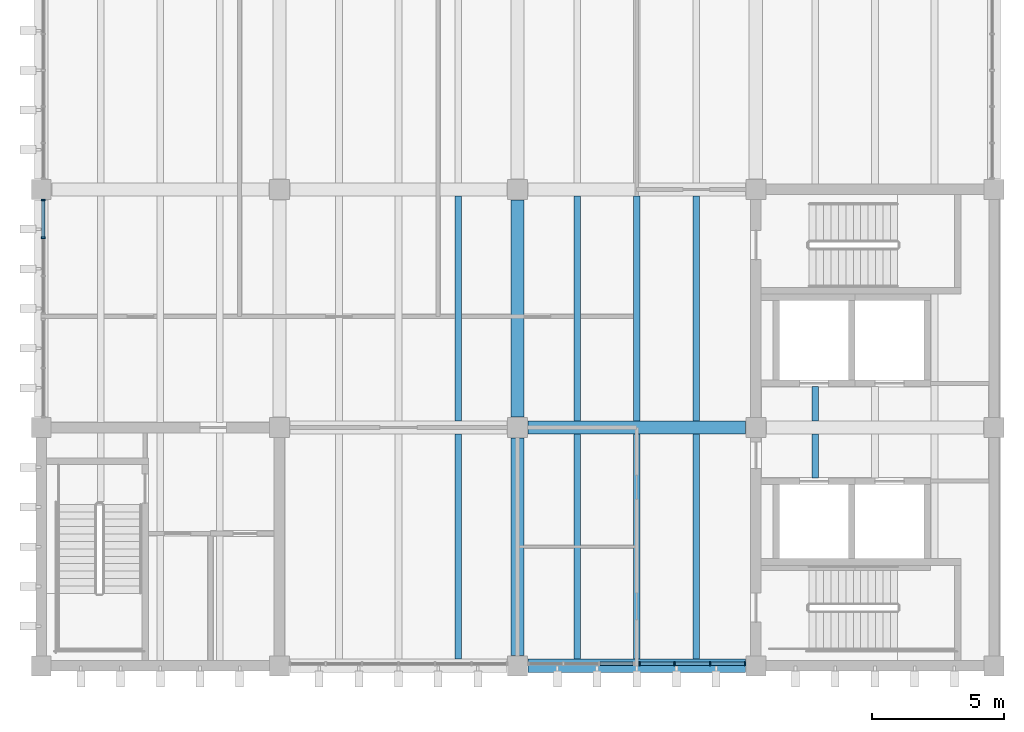
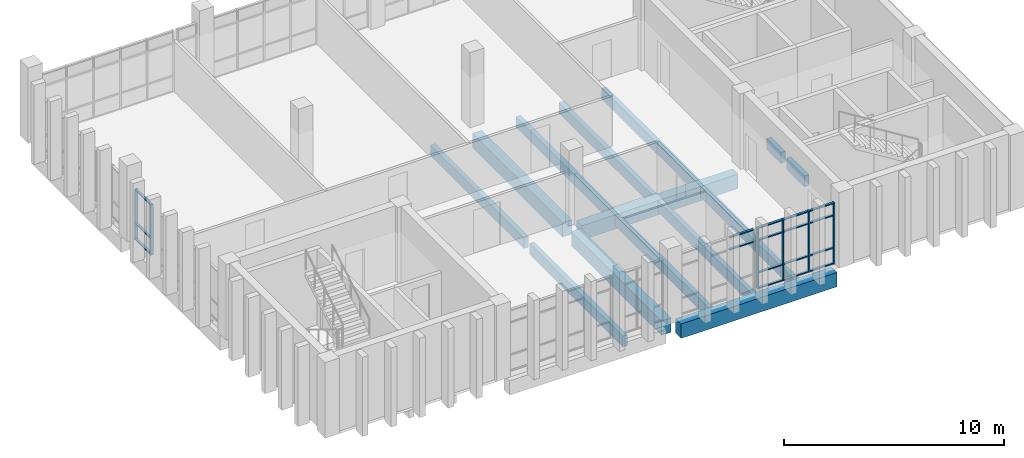
# One storey, part 3 of 14: 23 members, 14 beams, 3 elements without a shape of their own.
"""IFC4 building model written with IfcOpenShell, lengths in metres."""

from ifc_helpers import new_model, si_unit, direction, frame, origin, origin_2d, place, context, subcontext, project, spatial, rectangle, extrude, material, material_profile, profile_set, type_object, element, aggregate, save


model = new_model("IFC4")

# Units and contexts
model_context = context("Model", 3, precision=1e-05, world=origin(), true_north=direction((0.0, 1.0)))
body_context = subcontext(model_context, "Body", "Model", "MODEL_VIEW")
ifc_project = project(units=[si_unit("LENGTHUNIT", "METRE"), si_unit("AREAUNIT", "SQUARE_METRE"), si_unit("VOLUMEUNIT", "CUBIC_METRE"), si_unit("PLANEANGLEUNIT", "RADIAN"), si_unit("MASSUNIT", "GRAM", prefix="KILO")], contexts=[model_context])

# Site, building, storey
site_placement = place(None, origin())
site = spatial("IfcSite", under=ifc_project, at=site_placement, CompositionType="ELEMENT")
building_placement = place(site_placement, origin())
building = spatial("IfcBuilding", under=site, at=building_placement, Name="Merrow Basin Faculty of Sciences", CompositionType="ELEMENT")
storey_placement = place(building_placement, frame((0.0, 0.0, 27.0)))
storey = spatial("IfcBuildingStorey", under=building, at=storey_placement, Name="L06", CompositionType="ELEMENT", Elevation=27.0)

# Curtain wall, members
ifc_material_1 = material(Name="Aluminium alloy 6063", Category="aluminium")
curtain_wall_type = type_object("IfcCurtainWallType", Name="Unitised curtain wall 160", PredefinedType="NOTDEFINED", material=ifc_material_1)
curtain_wall_1_placement = place(storey_placement, origin())
curtain_wall_1 = element("IfcCurtainWall", 1, at=curtain_wall_1_placement, inside=storey, type_object=curtain_wall_type, Name="W curtain wall L06 2", PredefinedType="NOTDEFINED")
ifc_material_2 = material(Name="Aluminium alloy 6063", Category="aluminium")
ifc_material_profile_1 = material_profile(ifc_material_2, rectangle(XDim=0.159912109375, YDim=0.06005859375, at=origin_2d()))
ifc_profile_set_1 = profile_set([ifc_material_profile_1], Name="Aluminium alloy 6063")
member_type_1 = type_object("IfcMemberType", Name="Aluminium mullion 60x160", PredefinedType="MULLION", material=ifc_profile_set_1)
member_1_placement = place(storey_placement, frame((18.080078125, 158.175048828125, 0.0), z_axis=(0.0, 0.0, 1.0), x_axis=(-1.0, 0.0, 0.0)))
member_1 = element("IfcMember", 2, at=member_1_placement, type_object=member_type_1, Name="CW3 mullion 3", PredefinedType="MULLION", context=body_context, shape_type="SweptSolid", body=[
    extrude(rectangle(XDim=0.159912109375, YDim=0.06005859375, at=origin_2d()), origin(), (0.0, 0.0, 1.0), 2.800048828125),
])
member_2_placement = place(storey_placement, frame((18.080078125, 159.594970703125, 0.0), z_axis=(0.0, 0.0, 1.0), x_axis=(-1.0, 0.0, 0.0)))
member_2 = element("IfcMember", 3, at=member_2_placement, type_object=member_type_1, Name="CW3 mullion 4", PredefinedType="MULLION", context=body_context, shape_type="SweptSolid", body=[
    extrude(rectangle(XDim=0.159912109375, YDim=0.06005859375, at=origin_2d()), origin(), (0.0, 0.0, 1.0), 2.800048828125),
])

curtain_wall_2_placement = place(storey_placement, origin())
curtain_wall_2 = element("IfcCurtainWall", 4, at=curtain_wall_2_placement, inside=storey, type_object=curtain_wall_type, Name="S curtain wall L06 3", PredefinedType="NOTDEFINED")
member_3_placement = place(storey_placement, frame((40.60498046875, 142.080078125, 0.0), z_axis=(0.0, 0.0, 1.0), x_axis=(0.0, 1.0, 0.0)))
member_3 = element("IfcMember", 5, at=member_3_placement, type_object=member_type_1, Name="CW3 mullion 1", PredefinedType="MULLION", context=body_context, shape_type="SweptSolid", body=[
    extrude(rectangle(XDim=0.159912109375, YDim=0.06005859375, at=origin_2d()), origin(), (0.0, 0.0, 1.0), 3.39990234375),
])
member_4_placement = place(storey_placement, frame((41.925048828125, 142.080078125, 0.0), z_axis=(0.0, 0.0, 1.0), x_axis=(0.0, 1.0, 0.0)))
member_4 = element("IfcMember", 6, at=member_4_placement, type_object=member_type_1, Name="CW3 mullion 2", PredefinedType="MULLION", context=body_context, shape_type="SweptSolid", body=[
    extrude(rectangle(XDim=0.159912109375, YDim=0.06005859375, at=origin_2d()), origin(), (0.0, 0.0, 1.0), 3.39990234375),
])
member_5_placement = place(storey_placement, frame((43.27490234375, 142.080078125, 0.0), z_axis=(0.0, 0.0, 1.0), x_axis=(0.0, 1.0, 0.0)))
member_5 = element("IfcMember", 7, at=member_5_placement, type_object=member_type_1, Name="CW3 mullion 3", PredefinedType="MULLION", context=body_context, shape_type="SweptSolid", body=[
    extrude(rectangle(XDim=0.159912109375, YDim=0.06005859375, at=origin_2d()), origin(), (0.0, 0.0, 1.0), 3.39990234375),
])
member_6_placement = place(storey_placement, frame((44.594970703125, 142.080078125, 0.0), z_axis=(0.0, 0.0, 1.0), x_axis=(0.0, 1.0, 0.0)))
member_6 = element("IfcMember", 8, at=member_6_placement, type_object=member_type_1, Name="CW3 mullion 4", PredefinedType="MULLION", context=body_context, shape_type="SweptSolid", body=[
    extrude(rectangle(XDim=0.159912109375, YDim=0.06005859375, at=origin_2d()), origin(), (0.0, 0.0, 1.0), 3.39990234375),
])

# Member
ifc_material_3 = material(Name="Aluminium alloy 6063", Category="aluminium")
ifc_material_profile_2 = material_profile(ifc_material_3, rectangle(XDim=0.1201171875, YDim=0.06005859375, at=origin_2d()))
ifc_profile_set_2 = profile_set([ifc_material_profile_2], Name="Aluminium alloy 6063")
member_type_2 = type_object("IfcMemberType", Name="Aluminium transom 60x120", PredefinedType="USERDEFINED", material=ifc_profile_set_2)
member_7_placement = place(storey_placement, frame((18.080078125, 158.205078125, 0.030029296875), z_axis=(0.0, 1.0, 0.0), x_axis=(-1.0, 0.0, 0.0)))
member_7 = element("IfcMember", 9, at=member_7_placement, type_object=member_type_2, Name="CW3 transom 3.1", ObjectType="TRANSOM", PredefinedType="USERDEFINED", context=body_context, shape_type="SweptSolid", body=[
    extrude(rectangle(XDim=0.1201171875, YDim=0.06005859375, at=origin_2d()), origin(), (0.0, 0.0, 1.0), 1.35986328125),
])

member_8_placement = place(storey_placement, frame((18.080078125, 158.205078125, 0.89990234375), z_axis=(0.0, 1.0, 0.0), x_axis=(-1.0, 0.0, 0.0)))
member_8 = element("IfcMember", 10, at=member_8_placement, type_object=member_type_2, Name="CW3 transom 3.2", ObjectType="TRANSOM", PredefinedType="USERDEFINED", context=body_context, shape_type="SweptSolid", body=[
    extrude(rectangle(XDim=0.1201171875, YDim=0.06005859375, at=origin_2d()), origin(), (0.0, 0.0, 1.0), 1.35986328125),
])

member_9_placement = place(storey_placement, frame((18.080078125, 158.205078125, 2.77001953125), z_axis=(0.0, 1.0, 0.0), x_axis=(-1.0, 0.0, 0.0)))
member_9 = element("IfcMember", 11, at=member_9_placement, type_object=member_type_2, Name="CW3 transom 3.3", ObjectType="TRANSOM", PredefinedType="USERDEFINED", context=body_context, shape_type="SweptSolid", body=[
    extrude(rectangle(XDim=0.1201171875, YDim=0.06005859375, at=origin_2d()), origin(), (0.0, 0.0, 1.0), 1.35986328125),
])

aggregate(curtain_wall_1, [member_1, member_2, member_7, member_8, member_9])

# Curtain wall, members
curtain_wall_3_placement = place(storey_placement, origin())
curtain_wall_3 = element("IfcCurtainWall", 12, at=curtain_wall_3_placement, inside=storey, type_object=curtain_wall_type, Name="S curtain wall L06 2", PredefinedType="NOTDEFINED")
member_10_placement = place(storey_placement, frame((39.10498046875, 142.080078125, 2.699951171875), z_axis=(1.0, 0.0, 0.0), x_axis=(0.0, 1.0, 0.0)))
member_10 = element("IfcMember", 13, at=member_10_placement, type_object=member_type_2, Name="CW3 transom 3.3", ObjectType="TRANSOM", PredefinedType="USERDEFINED", context=body_context, shape_type="SweptSolid", body=[
    extrude(rectangle(XDim=0.1201171875, YDim=0.06005859375, at=origin_2d()), origin(), (0.0, 0.0, 1.0), 1.260009765625),
])
member_11_placement = place(storey_placement, frame((39.10498046875, 142.080078125, 3.3701171875), z_axis=(1.0, 0.0, 0.0), x_axis=(0.0, 1.0, 0.0)))
member_11 = element("IfcMember", 14, at=member_11_placement, type_object=member_type_2, Name="CW3 transom 3.4", ObjectType="TRANSOM", PredefinedType="USERDEFINED", context=body_context, shape_type="SweptSolid", body=[
    extrude(rectangle(XDim=0.1201171875, YDim=0.06005859375, at=origin_2d()), origin(), (0.0, 0.0, 1.0), 1.260009765625),
])
aggregate(curtain_wall_3, [member_10, member_11])

# Member
member_12_placement = place(storey_placement, frame((40.635009765625, 142.080078125, 0.030029296875), z_axis=(1.0, 0.0, 0.0), x_axis=(0.0, 1.0, 0.0)))
member_12 = element("IfcMember", 15, at=member_12_placement, type_object=member_type_2, Name="CW3 transom 1.1", ObjectType="TRANSOM", PredefinedType="USERDEFINED", context=body_context, shape_type="SweptSolid", body=[
    extrude(rectangle(XDim=0.1201171875, YDim=0.06005859375, at=origin_2d()), origin(), (0.0, 0.0, 1.0), 1.260009765625),
])

member_13_placement = place(storey_placement, frame((40.635009765625, 142.080078125, 0.89990234375), z_axis=(1.0, 0.0, 0.0), x_axis=(0.0, 1.0, 0.0)))
member_13 = element("IfcMember", 16, at=member_13_placement, type_object=member_type_2, Name="CW3 transom 1.2", ObjectType="TRANSOM", PredefinedType="USERDEFINED", context=body_context, shape_type="SweptSolid", body=[
    extrude(rectangle(XDim=0.1201171875, YDim=0.06005859375, at=origin_2d()), origin(), (0.0, 0.0, 1.0), 1.260009765625),
])

member_14_placement = place(storey_placement, frame((40.635009765625, 142.080078125, 2.699951171875), z_axis=(1.0, 0.0, 0.0), x_axis=(0.0, 1.0, 0.0)))
member_14 = element("IfcMember", 17, at=member_14_placement, type_object=member_type_2, Name="CW3 transom 1.3", ObjectType="TRANSOM", PredefinedType="USERDEFINED", context=body_context, shape_type="SweptSolid", body=[
    extrude(rectangle(XDim=0.1201171875, YDim=0.06005859375, at=origin_2d()), origin(), (0.0, 0.0, 1.0), 1.260009765625),
])

member_15_placement = place(storey_placement, frame((40.635009765625, 142.080078125, 3.3701171875), z_axis=(1.0, 0.0, 0.0), x_axis=(0.0, 1.0, 0.0)))
member_15 = element("IfcMember", 18, at=member_15_placement, type_object=member_type_2, Name="CW3 transom 1.4", ObjectType="TRANSOM", PredefinedType="USERDEFINED", context=body_context, shape_type="SweptSolid", body=[
    extrude(rectangle(XDim=0.1201171875, YDim=0.06005859375, at=origin_2d()), origin(), (0.0, 0.0, 1.0), 1.260009765625),
])

member_16_placement = place(storey_placement, frame((41.955078125, 142.080078125, 0.030029296875), z_axis=(1.0, 0.0, 0.0), x_axis=(0.0, 1.0, 0.0)))
member_16 = element("IfcMember", 19, at=member_16_placement, type_object=member_type_2, Name="CW3 transom 2.1", ObjectType="TRANSOM", PredefinedType="USERDEFINED", context=body_context, shape_type="SweptSolid", body=[
    extrude(rectangle(XDim=0.1201171875, YDim=0.06005859375, at=origin_2d()), origin(), (0.0, 0.0, 1.0), 1.2900390625),
])

member_17_placement = place(storey_placement, frame((41.955078125, 142.080078125, 0.89990234375), z_axis=(1.0, 0.0, 0.0), x_axis=(0.0, 1.0, 0.0)))
member_17 = element("IfcMember", 20, at=member_17_placement, type_object=member_type_2, Name="CW3 transom 2.2", ObjectType="TRANSOM", PredefinedType="USERDEFINED", context=body_context, shape_type="SweptSolid", body=[
    extrude(rectangle(XDim=0.1201171875, YDim=0.06005859375, at=origin_2d()), origin(), (0.0, 0.0, 1.0), 1.2900390625),
])

member_18_placement = place(storey_placement, frame((41.955078125, 142.080078125, 2.699951171875), z_axis=(1.0, 0.0, 0.0), x_axis=(0.0, 1.0, 0.0)))
member_18 = element("IfcMember", 21, at=member_18_placement, type_object=member_type_2, Name="CW3 transom 2.3", ObjectType="TRANSOM", PredefinedType="USERDEFINED", context=body_context, shape_type="SweptSolid", body=[
    extrude(rectangle(XDim=0.1201171875, YDim=0.06005859375, at=origin_2d()), origin(), (0.0, 0.0, 1.0), 1.2900390625),
])

member_19_placement = place(storey_placement, frame((41.955078125, 142.080078125, 3.3701171875), z_axis=(1.0, 0.0, 0.0), x_axis=(0.0, 1.0, 0.0)))
member_19 = element("IfcMember", 22, at=member_19_placement, type_object=member_type_2, Name="CW3 transom 2.4", ObjectType="TRANSOM", PredefinedType="USERDEFINED", context=body_context, shape_type="SweptSolid", body=[
    extrude(rectangle(XDim=0.1201171875, YDim=0.06005859375, at=origin_2d()), origin(), (0.0, 0.0, 1.0), 1.2900390625),
])

member_20_placement = place(storey_placement, frame((43.304931640625, 142.080078125, 0.030029296875), z_axis=(1.0, 0.0, 0.0), x_axis=(0.0, 1.0, 0.0)))
member_20 = element("IfcMember", 23, at=member_20_placement, type_object=member_type_2, Name="CW3 transom 3.1", ObjectType="TRANSOM", PredefinedType="USERDEFINED", context=body_context, shape_type="SweptSolid", body=[
    extrude(rectangle(XDim=0.1201171875, YDim=0.06005859375, at=origin_2d()), origin(), (0.0, 0.0, 1.0), 1.260009765625),
])

member_21_placement = place(storey_placement, frame((43.304931640625, 142.080078125, 0.89990234375), z_axis=(1.0, 0.0, 0.0), x_axis=(0.0, 1.0, 0.0)))
member_21 = element("IfcMember", 24, at=member_21_placement, type_object=member_type_2, Name="CW3 transom 3.2", ObjectType="TRANSOM", PredefinedType="USERDEFINED", context=body_context, shape_type="SweptSolid", body=[
    extrude(rectangle(XDim=0.1201171875, YDim=0.06005859375, at=origin_2d()), origin(), (0.0, 0.0, 1.0), 1.260009765625),
])

member_22_placement = place(storey_placement, frame((43.304931640625, 142.080078125, 2.699951171875), z_axis=(1.0, 0.0, 0.0), x_axis=(0.0, 1.0, 0.0)))
member_22 = element("IfcMember", 25, at=member_22_placement, type_object=member_type_2, Name="CW3 transom 3.3", ObjectType="TRANSOM", PredefinedType="USERDEFINED", context=body_context, shape_type="SweptSolid", body=[
    extrude(rectangle(XDim=0.1201171875, YDim=0.06005859375, at=origin_2d()), origin(), (0.0, 0.0, 1.0), 1.260009765625),
])

member_23_placement = place(storey_placement, frame((43.304931640625, 142.080078125, 3.3701171875), z_axis=(1.0, 0.0, 0.0), x_axis=(0.0, 1.0, 0.0)))
member_23 = element("IfcMember", 26, at=member_23_placement, type_object=member_type_2, Name="CW3 transom 3.4", ObjectType="TRANSOM", PredefinedType="USERDEFINED", context=body_context, shape_type="SweptSolid", body=[
    extrude(rectangle(XDim=0.1201171875, YDim=0.06005859375, at=origin_2d()), origin(), (0.0, 0.0, 1.0), 1.260009765625),
])

aggregate(curtain_wall_2, [member_3, member_4, member_5, member_6, member_12, member_13, member_14, member_15, member_16, member_17, member_18, member_19, member_20, member_21, member_22, member_23])

# Beams
ifc_material_4 = material(Name="Concrete C40/50", Category="concrete")
ifc_material_profile_3 = material_profile(ifc_material_4, rectangle(XDim=0.5, YDim=0.800048828125, at=origin_2d()))
ifc_profile_set_3 = profile_set([ifc_material_profile_3], Name="Concrete C40/50")
beam_type_1 = type_object("IfcBeamType", Name="Beam RC500x800 C40/50", PredefinedType="BEAM", material=ifc_profile_set_3)
for number, where, z_axis, x_axis, name in (
    (27, (36.39990234375, 142.0, -0.699951171875), (1.0, 0.0, 0.0), (0.0, 1.0, 0.0), "B4 L06 002"),
    (28, (36.39990234375, 151.0, -0.699951171875), (1.0, 0.0, 0.0), (0.0, 1.0, 0.0), "B4 L06 004"),
    (29, (36.0, 142.39990234375, -0.699951171875), (0.0, 1.0, 0.0), (-1.0, 0.0, 0.0), "B4 L06 017"),
    (30, (36.0, 151.39990234375, -0.699951171875), (0.0, 1.0, 0.0), (-1.0, 0.0, 0.0), "B4 L06 018"),
):
    element("IfcBeam", number, at=place(storey_placement, frame(where, z_axis=z_axis, x_axis=x_axis)), inside=storey, type_object=beam_type_1, Name=name, PredefinedType="BEAM", context=body_context, shape_type="SweptSolid", body=[
        extrude(rectangle(XDim=0.5, YDim=0.800048828125, at=origin_2d()), origin(), (0.0, 0.0, 1.0), 8.2001953125),
    ])
ifc_material_5 = material(Name="Concrete C40/50", Category="concrete")
ifc_material_profile_4 = material_profile(ifc_material_5, rectangle(XDim=0.25, YDim=0.60009765625, at=origin_2d()))
ifc_profile_set_4 = profile_set([ifc_material_profile_4], Name="Concrete C40/50")
beam_type_2 = type_object("IfcBeamType", Name="Tower floor joist RC250x600 C40/50", PredefinedType="BEAM", material=ifc_profile_set_4)
for number, where, z_axis, x_axis, name in (
    (31, (33.75, 142.25, -0.60009765625), (0.0, 1.0, 0.0), (-1.0, 0.0, 0.0), "JT1 L06 034"),
    (32, (33.75, 151.25, -0.60009765625), (0.0, 1.0, 0.0), (-1.0, 0.0, 0.0), "JT1 L06 037"),
    (33, (38.25, 142.25, -0.60009765625), (0.0, 1.0, 0.0), (-1.0, 0.0, 0.0), "JT1 L06 041"),
    (34, (40.5, 142.25, -0.60009765625), (0.0, 1.0, 0.0), (-1.0, 0.0, 0.0), "JT1 L06 042"),
    (35, (42.75, 142.25, -0.60009765625), (0.0, 1.0, 0.0), (-1.0, 0.0, 0.0), "JT1 L06 043"),
    (36, (38.25, 151.25, -0.60009765625), (0.0, 1.0, 0.0), (-1.0, 0.0, 0.0), "JT1 L06 044"),
    (37, (40.5, 151.25, -0.60009765625), (0.0, 1.0, 0.0), (-1.0, 0.0, 0.0), "JT1 L06 045"),
    (38, (42.75, 151.25, -0.60009765625), (0.0, 1.0, 0.0), (-1.0, 0.0, 0.0), "JT1 L06 046"),
):
    element("IfcBeam", number, at=place(storey_placement, frame(where, z_axis=z_axis, x_axis=x_axis)), inside=storey, type_object=beam_type_2, Name=name, PredefinedType="BEAM", context=body_context, shape_type="SweptSolid", body=[
        extrude(rectangle(XDim=0.25, YDim=0.60009765625, at=origin_2d()), origin(), (0.0, 0.0, 1.0), 8.5),
    ])
beam_1_placement = place(storey_placement, frame((47.25, 149.10009765625, -0.60009765625), z_axis=(0.0, 1.0, 0.0), x_axis=(-1.0, 0.0, 0.0)))
element("IfcBeam", 39, at=beam_1_placement, inside=storey, type_object=beam_type_2, Name="JT1 L06 050", PredefinedType="BEAM", context=body_context, shape_type="SweptSolid", body=[
    extrude(rectangle(XDim=0.25, YDim=0.60009765625, at=origin_2d()), origin(), (0.0, 0.0, 1.0), 1.64990234375),
])
beam_2_placement = place(storey_placement, frame((47.25, 151.25, -0.60009765625), z_axis=(0.0, 1.0, 0.0), x_axis=(-1.0, 0.0, 0.0)))
element("IfcBeam", 40, at=beam_2_placement, inside=storey, type_object=beam_type_2, Name="JT1 L06 053", PredefinedType="BEAM", context=body_context, shape_type="SweptSolid", body=[
    extrude(rectangle(XDim=0.25, YDim=0.60009765625, at=origin_2d()), origin(), (0.0, 0.0, 1.0), 1.300048828125),
])

save(model, "model.ifc")
